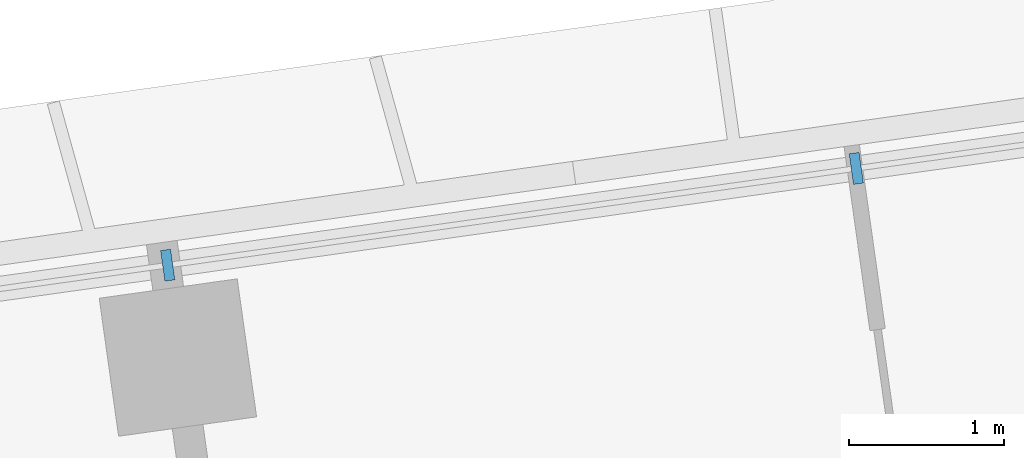
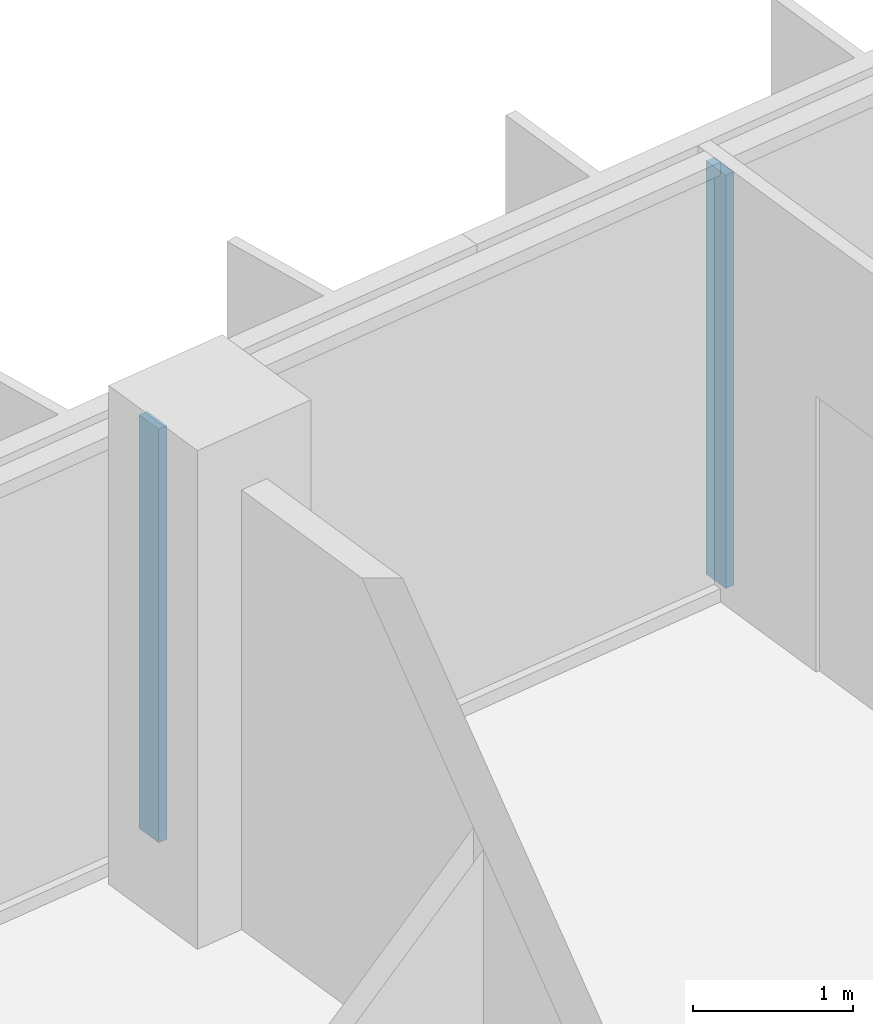
# One storey, part 8 of 27: 2 members, 1 element without a shape of its own.
"""IFC4 building model written with IfcOpenShell, lengths in metres."""

from ifc_helpers import new_model, si_unit, direction, frame, origin, origin_2d, place, context, subcontext, project, spatial, rectangle, extrude, material, material_profile, profile_set, type_object, element, aggregate, save


model = new_model("IFC4")

# Units and contexts
model_context = context("Model", 3, precision=1e-05, world=origin(), true_north=direction((0.0, 1.0)))
body_context = subcontext(model_context, "Body", "Model", "MODEL_VIEW")
ifc_project = project(units=[si_unit("LENGTHUNIT", "METRE"), si_unit("AREAUNIT", "SQUARE_METRE"), si_unit("VOLUMEUNIT", "CUBIC_METRE"), si_unit("PLANEANGLEUNIT", "RADIAN"), si_unit("MASSUNIT", "GRAM", prefix="KILO")], contexts=[model_context])

# Site, building, storey
site_placement = place(None, origin())
site = spatial("IfcSite", under=ifc_project, at=site_placement, CompositionType="ELEMENT")
building_placement = place(site_placement, origin())
building = spatial("IfcBuilding", under=site, at=building_placement, Name="Mirante Cascada Hotel Towers", CompositionType="ELEMENT")
storey_placement = place(building_placement, frame((0.0, 0.0, 117.7)))
storey = spatial("IfcBuildingStorey", under=building, at=storey_placement, Name="L26", CompositionType="ELEMENT", Elevation=117.7)

# Curtain wall, members
ifc_material_1 = material(Name="Aluminium mullion and transom frame with clear laminated glass", Category="aluminium")
curtain_wall_type = type_object("IfcCurtainWallType", Name="Ribbon curtain wall ECW1", PredefinedType="NOTDEFINED", material=ifc_material_1)
curtain_wall_placement = place(storey_placement, origin())
curtain_wall = element("IfcCurtainWall", 1, at=curtain_wall_placement, inside=storey, type_object=curtain_wall_type, Name="Front ribbon wall T2 L26", PredefinedType="NOTDEFINED")
ifc_material_2 = material(Name="Anodised aluminium extrusion", Category="aluminium")
ifc_material_profile = material_profile(ifc_material_2, rectangle(XDim=0.2, YDim=0.065, at=origin_2d()), Name="ECW1 MULLION 65x200")
ifc_profile_set = profile_set([ifc_material_profile], Name="Anodised aluminium extrusion")
member_type = type_object("IfcMemberType", Name="ECW1 mullion 65x200", PredefinedType="MULLION", material=ifc_profile_set)
member_1_placement = place(storey_placement, frame((58.5788, 21.0517, 0.1), z_axis=(0.0, 0.0, 1.0), x_axis=(0.1391731, -0.9902681, 0.0)))
member_1 = element("IfcMember", 2, at=member_1_placement, type_object=member_type, Name="ECW1 mullion 9", PredefinedType="MULLION", context=body_context, shape_type="SweptSolid", body=[
    extrude(rectangle(XDim=0.2, YDim=0.065, at=origin_2d()), origin(), (0.0, 0.0, 1.0), 3.15),
])
member_2_placement = place(storey_placement, frame((54.1314, 20.4267, 0.1), z_axis=(0.0, 0.0, 1.0), x_axis=(0.1391731, -0.9902681, 0.0)))
member_2 = element("IfcMember", 3, at=member_2_placement, type_object=member_type, Name="ECW1 mullion 10", PredefinedType="MULLION", context=body_context, shape_type="SweptSolid", body=[
    extrude(rectangle(XDim=0.2, YDim=0.065, at=origin_2d()), origin(), (0.0, 0.0, 1.0), 3.15),
])
aggregate(curtain_wall, [member_1, member_2])

save(model, "model.ifc")
